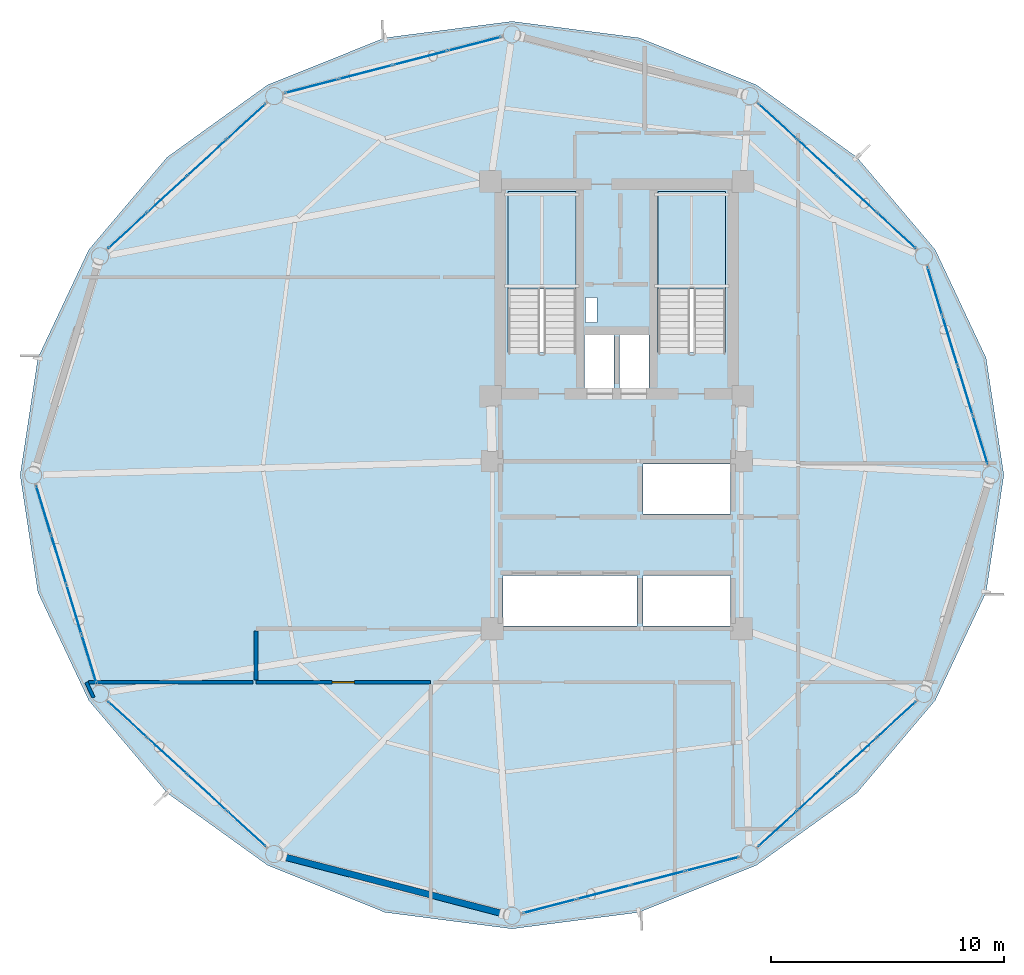
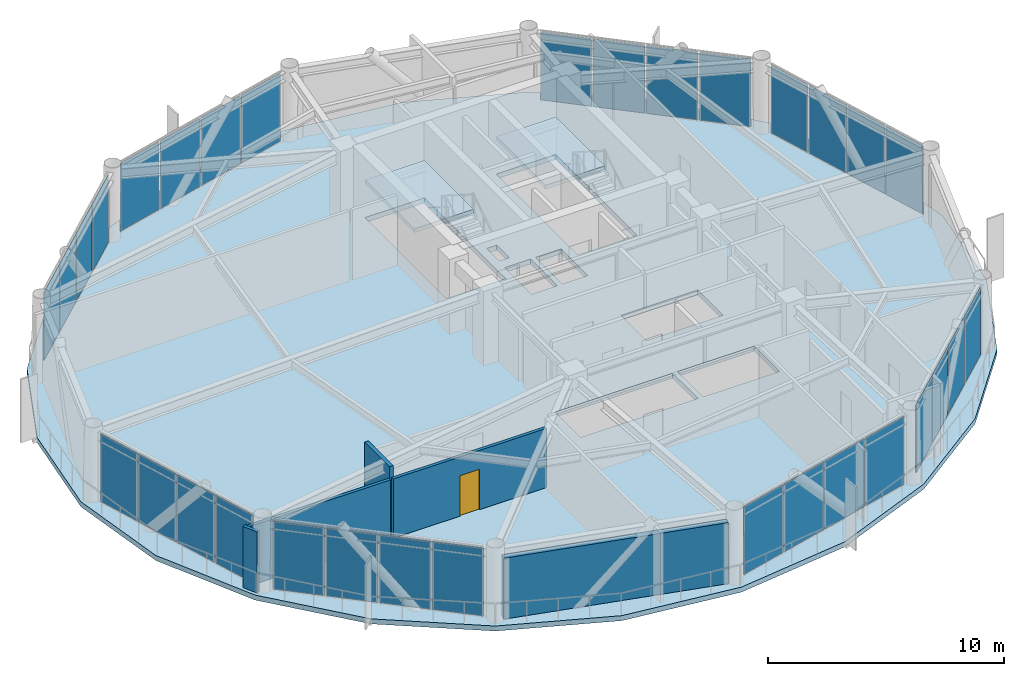
# One storey, part 19 of 24: 32 plates, 5 walls, 3 slabs, 1 door, 1 opening, 10 elements without a shape of their own.
"""IFC4 building model written with IfcOpenShell, lengths in metres."""

from ifc_helpers import new_model, si_unit, direction, frame, frame_2d, origin, origin_2d, place, context, subcontext, project, spatial, polyline, rectangle, outline, extrude, source, transform, mapped, material, layer, layer_set, type_object, type_shapes, element, fill, aggregate, save


model = new_model("IFC4")

# Units and contexts
model_context = context("Model", 3, precision=1e-05, world=origin(), true_north=direction((0.0, 1.0)))
body_context = subcontext(model_context, "Body", "Model", "MODEL_VIEW")
ifc_project = project(units=[si_unit("LENGTHUNIT", "METRE"), si_unit("AREAUNIT", "SQUARE_METRE"), si_unit("VOLUMEUNIT", "CUBIC_METRE"), si_unit("PLANEANGLEUNIT", "RADIAN"), si_unit("MASSUNIT", "GRAM", prefix="KILO")], contexts=[model_context])

# Site, building, storey
site_placement = place(None, origin())
site = spatial("IfcSite", under=ifc_project, at=site_placement, CompositionType="ELEMENT")
building_placement = place(site_placement, origin())
building = spatial("IfcBuilding", under=site, at=building_placement, Name="Varnakorn Sky Granary", CompositionType="ELEMENT")
storey_placement = place(building_placement, frame((0.0, 0.0, 161.699951171875)))
storey = spatial("IfcBuildingStorey", under=building, at=storey_placement, Name="L40", CompositionType="ELEMENT", Elevation=161.699951171875)

# Stair, slab
ifc_material_1 = material(Name="Concrete C40/50", Category="concrete")
stair_type = type_object("IfcStairType", Name="ST-MAIN-ASSEMBLY", PredefinedType="HALF_TURN_STAIR", material=ifc_material_1)
stair_1_placement = place(storey_placement, origin())
stair_1 = element("IfcStair", 1, at=stair_1_placement, inside=storey, type_object=stair_type, Name="L40 Protected Exit Stair ST-1", PredefinedType="HALF_TURN_STAIR")
ifc_layer_1 = layer(ifc_material_1, 0.199951171875, Name="Concrete C40/50")
ifc_layer_set_1 = layer_set([ifc_layer_1], Name="Concrete C40/50")
slab_type_1 = type_object("IfcSlabType", Name="ST-MAIN-LAND", PredefinedType="LANDING", material=ifc_layer_set_1)
slab_1_placement = place(storey_placement, frame((0.0, 0.0, 1.75)))
slab_1 = element("IfcSlab", 2, at=slab_1_placement, type_object=slab_type_1, Name="ST-1 landing 1", PredefinedType="LANDING", context=body_context, shape_type="SweptSolid", body=[
    extrude(outline(polyline([(1.239990234375, 8.0), (1.239990234375, 12.179931640625), (-1.669921875, 12.179931640625), (-1.669921875, 8.0), (1.239990234375, 8.0)])), origin(), (0.0, 0.0, 1.0), 0.199951171875),
])
aggregate(stair_1, [slab_1])

stair_2_placement = place(storey_placement, origin())
stair_2 = element("IfcStair", 3, at=stair_2_placement, inside=storey, type_object=stair_type, Name="L40 Protected Exit Stair ST-2", PredefinedType="HALF_TURN_STAIR")
slab_2_placement = place(storey_placement, frame((0.0, 0.0, 1.75)))
slab_2 = element("IfcSlab", 4, at=slab_2_placement, type_object=slab_type_1, Name="ST-2 landing 1", PredefinedType="LANDING", context=body_context, shape_type="SweptSolid", body=[
    extrude(outline(polyline([(7.679931640625, 8.0), (7.679931640625, 12.179931640625), (4.77001953125, 12.179931640625), (4.77001953125, 8.0), (7.679931640625, 8.0)])), origin(), (0.0, 0.0, 1.0), 0.199951171875),
])
aggregate(stair_2, [slab_2])

# Slab
ifc_material_2 = material(Name="Concrete C50/60", Category="concrete")
ifc_layer_2 = layer(ifc_material_2, 0.260009765625, Name="Concrete C50/60")
ifc_layer_set_2 = layer_set([ifc_layer_2], Name="Concrete C50/60")
slab_type_2 = type_object("IfcSlabType", Name="ST-SL-TWR-260", PredefinedType="FLOOR", material=ifc_layer_set_2)
slab_3_placement = place(storey_placement, frame((0.0, 0.0, -0.260009765625)))
element("IfcSlab", 5, at=slab_3_placement, inside=storey, type_object=slab_type_2, Name="Level L40 Structural Floor Slab", PredefinedType="FLOOR", context=body_context, shape_type="SweptSolid", body=[
    extrude(outline(polyline([(19.633056640625, 0.0), (18.869384765625, 5.033935546875), (16.684814453125, 9.679931640625), (13.31591796875, 13.65771484375), (8.9990234375, 16.766357421875), (3.9580078125, 18.787353515625), (-1.5, 19.4951171875), (-6.9580078125, 18.787353515625), (-11.9990234375, 16.766357421875), (-16.31591796875, 13.65771484375), (-19.684814453125, 9.679931640625), (-21.869384765625, 5.033935546875), (-22.633056640625, 0.0), (-21.869384765625, -5.033935546875), (-19.684814453125, -9.679931640625), (-16.31591796875, -13.65771484375), (-11.9990234375, -16.766357421875), (-6.9580078125, -18.787353515625), (-1.5, -19.4951171875), (3.9580078125, -18.787353515625), (8.9990234375, -16.766357421875), (13.31591796875, -13.65771484375), (16.684814453125, -9.679931640625), (18.869384765625, -5.033935546875), (19.633056640625, 0.0)]), holes=[polyline([(1.239990234375, 5.27490234375), (1.239990234375, 12.179931640625), (-1.669921875, 12.179931640625), (-1.669921875, 5.27490234375), (1.239990234375, 5.27490234375)]), polyline([(7.679931640625, 5.27490234375), (7.679931640625, 12.179931640625), (4.77001953125, 12.179931640625), (4.77001953125, 5.27490234375), (7.679931640625, 5.27490234375)]), polyline([(1.659912109375, 6.550048828125), (2.14990234375, 6.550048828125), (2.14990234375, 7.6201171875), (1.659912109375, 7.6201171875), (1.659912109375, 6.550048828125)]), polyline([(1.6201171875, 3.739990234375), (2.8798828125, 3.739990234375), (2.8798828125, 6.010009765625), (1.6201171875, 6.010009765625), (1.6201171875, 3.739990234375)]), polyline([(3.1201171875, 3.739990234375), (4.3798828125, 3.739990234375), (4.3798828125, 6.010009765625), (3.1201171875, 6.010009765625), (3.1201171875, 3.739990234375)]), polyline([(4.1201171875, -1.679931640625), (7.8798828125, -1.679931640625), (7.8798828125, 0.47998046875), (4.1201171875, 0.47998046875), (4.1201171875, -1.679931640625)]), polyline([(-1.8798828125, -6.47998046875), (3.8798828125, -6.47998046875), (3.8798828125, -4.320068359375), (-1.8798828125, -4.320068359375), (-1.8798828125, -6.47998046875)]), polyline([(4.1201171875, -6.47998046875), (7.8798828125, -6.47998046875), (7.8798828125, -4.320068359375), (4.1201171875, -4.320068359375), (4.1201171875, -6.47998046875)])]), origin(), (0.0, 0.0, 1.0), 0.260009765625),
])

# Curtain wall, plates
ifc_material_3 = material(Name="Anodised Bronze Aluminium Alloy 6063-T6", Category="aluminium")
ifc_layer_3 = layer(ifc_material_3, 0.179931640625, Name="Anodised Bronze Aluminium Alloy 6063-T6")
ifc_layer_set_3 = layer_set([ifc_layer_3], Name="Anodised Bronze Aluminium Alloy 6063-T6")
curtain_wall_type = type_object("IfcCurtainWallType", Name="CW-FRM-2", PredefinedType="USERDEFINED", material=ifc_layer_set_3)
curtain_wall_1_placement = place(storey_placement, origin())
curtain_wall_1 = element("IfcCurtainWall", 6, at=curtain_wall_1_placement, inside=storey, type_object=curtain_wall_type, Name="Unitised Curtain Wall CW4 CW-L40-B01", ObjectType="CURTAIN WALL", PredefinedType="USERDEFINED")
ifc_material_4 = material(Name="Low-E Tinted Laminated Glass", Category="glass")
ifc_layer_4 = layer(ifc_material_4, 0.02587890625, Name="Low-E Tinted Laminated Glass")
ifc_layer_set_4 = layer_set([ifc_layer_4], Name="Low-E Tinted Laminated Glass")
plate_type = type_object("IfcPlateType", Name="CW-FRM-2-PNL", PredefinedType="CURTAIN_PANEL")
shared_shape_1 = source(origin(), body_context, "Body", "SweptSolid", [
    extrude(rectangle(XDim=2.133056640625, YDim=0.02587890625, at=origin_2d()), origin(), (0.0, 0.0, 1.0), 3.510009765625),
])
plate_1_placement = place(storey_placement, frame((16.669677734375, 7.896484375, 0.06494140625), z_axis=(0.0, 0.0, 1.0), x_axis=(0.292285507608, -0.956331104818, 0.0)))
plate_1 = element("IfcPlate", 7, at=plate_1_placement, type_object=plate_type, material=ifc_layer_set_4, Name="CW4 vision glazing unit 1.1", PredefinedType="CURTAIN_PANEL", context=body_context, shape_type="MappedRepresentation", body=[
    mapped(shared_shape_1, transform((0.0, 0.0, 0.0), x_axis=(1.0, 0.0, 0.0), y_axis=(0.0, 1.0, 0.0), z_axis=(0.0, 0.0, 1.0), scale=1.0)),
])
plate_2_placement = place(storey_placement, frame((18.621826171875, 1.508544921875, 0.06494140625), z_axis=(0.0, 0.0, 1.0), x_axis=(0.292285507608, -0.956331104818, 0.0)))
plate_2 = element("IfcPlate", 8, at=plate_2_placement, type_object=plate_type, material=ifc_layer_set_4, Name="CW4 vision glazing unit 4.1", PredefinedType="CURTAIN_PANEL", context=body_context, shape_type="MappedRepresentation", body=[
    mapped(shared_shape_1, transform((0.0, 0.0, 0.0), x_axis=(1.0, 0.0, 0.0), y_axis=(0.0, 1.0, 0.0), z_axis=(0.0, 0.0, 1.0), scale=1.0)),
])

curtain_wall_2_placement = place(storey_placement, origin())
curtain_wall_2 = element("IfcCurtainWall", 9, at=curtain_wall_2_placement, inside=storey, type_object=curtain_wall_type, Name="Unitised Curtain Wall CW4 CW-L40-B07", ObjectType="CURTAIN WALL", PredefinedType="USERDEFINED")
plate_3_placement = place(storey_placement, frame((-19.669677734375, -7.896484375, 0.06494140625), z_axis=(0.0, 0.0, 1.0), x_axis=(-0.292285507608, 0.956331104818, 0.0)))
plate_3 = element("IfcPlate", 10, at=plate_3_placement, type_object=plate_type, material=ifc_layer_set_4, Name="CW4 vision glazing unit 1.1", PredefinedType="CURTAIN_PANEL", context=body_context, shape_type="MappedRepresentation", body=[
    mapped(shared_shape_1, transform((0.0, 0.0, 0.0), x_axis=(1.0, 0.0, 0.0), y_axis=(0.0, 1.0, 0.0), z_axis=(0.0, 0.0, 1.0), scale=1.0)),
])
plate_4_placement = place(storey_placement, frame((-21.621826171875, -1.508544921875, 0.06494140625), z_axis=(0.0, 0.0, 1.0), x_axis=(-0.292285507608, 0.956331104818, 0.0)))
plate_4 = element("IfcPlate", 11, at=plate_4_placement, type_object=plate_type, material=ifc_layer_set_4, Name="CW4 vision glazing unit 4.1", PredefinedType="CURTAIN_PANEL", context=body_context, shape_type="MappedRepresentation", body=[
    mapped(shared_shape_1, transform((0.0, 0.0, 0.0), x_axis=(1.0, 0.0, 0.0), y_axis=(0.0, 1.0, 0.0), z_axis=(0.0, 0.0, 1.0), scale=1.0)),
])

# Plate
ifc_material_5 = material(Name="Opaque Insulated Aluminium Shadow-Box Unit", Category="aluminium")
ifc_layer_5 = layer(ifc_material_5, 0.02587890625, Name="Opaque Insulated Aluminium Shadow-Box Unit")
ifc_layer_set_5 = layer_set([ifc_layer_5], Name="Opaque Insulated Aluminium Shadow-Box Unit")
shared_shape_2 = source(origin(), body_context, "Body", "SweptSolid", [
    extrude(rectangle(XDim=2.168212890625, YDim=0.02587890625, at=origin_2d()), origin(), (0.0, 0.0, 1.0), 3.510009765625),
])
plate_5_placement = place(storey_placement, frame((17.318603515625, 5.772705078125, 0.06494140625), z_axis=(0.0, 0.0, 1.0), x_axis=(0.292285507608, -0.956331104818, 0.0)))
plate_5 = element("IfcPlate", 12, at=plate_5_placement, type_object=plate_type, material=ifc_layer_set_5, Name="CW4 opaque insulated shadow-box unit 2.1", PredefinedType="CURTAIN_PANEL", context=body_context, shape_type="MappedRepresentation", body=[
    mapped(shared_shape_2, transform((0.0, 0.0, 0.0), x_axis=(1.0, 0.0, 0.0), y_axis=(0.0, 1.0, 0.0), z_axis=(0.0, 0.0, 1.0), scale=1.0)),
])

plate_6_placement = place(storey_placement, frame((17.972900390625, 3.63232421875, 0.06494140625), z_axis=(0.0, 0.0, 1.0), x_axis=(0.292285507608, -0.956331104818, 0.0)))
plate_6 = element("IfcPlate", 13, at=plate_6_placement, type_object=plate_type, material=ifc_layer_set_5, Name="CW4 opaque insulated shadow-box unit 3.1", PredefinedType="CURTAIN_PANEL", context=body_context, shape_type="MappedRepresentation", body=[
    mapped(shared_shape_2, transform((0.0, 0.0, 0.0), x_axis=(1.0, 0.0, 0.0), y_axis=(0.0, 1.0, 0.0), z_axis=(0.0, 0.0, 1.0), scale=1.0)),
])

aggregate(curtain_wall_1, [plate_1, plate_5, plate_6, plate_2])

plate_7_placement = place(storey_placement, frame((-20.318603515625, -5.772705078125, 0.06494140625), z_axis=(0.0, 0.0, 1.0), x_axis=(-0.292285507608, 0.956331104818, 0.0)))
plate_7 = element("IfcPlate", 14, at=plate_7_placement, type_object=plate_type, material=ifc_layer_set_5, Name="CW4 opaque insulated shadow-box unit 2.1", PredefinedType="CURTAIN_PANEL", context=body_context, shape_type="MappedRepresentation", body=[
    mapped(shared_shape_2, transform((0.0, 0.0, 0.0), x_axis=(1.0, 0.0, 0.0), y_axis=(0.0, 1.0, 0.0), z_axis=(0.0, 0.0, 1.0), scale=1.0)),
])

plate_8_placement = place(storey_placement, frame((-20.972900390625, -3.63232421875, 0.06494140625), z_axis=(0.0, 0.0, 1.0), x_axis=(-0.292285507608, 0.956331104818, 0.0)))
plate_8 = element("IfcPlate", 15, at=plate_8_placement, type_object=plate_type, material=ifc_layer_set_5, Name="CW4 opaque insulated shadow-box unit 3.1", PredefinedType="CURTAIN_PANEL", context=body_context, shape_type="MappedRepresentation", body=[
    mapped(shared_shape_2, transform((0.0, 0.0, 0.0), x_axis=(1.0, 0.0, 0.0), y_axis=(0.0, 1.0, 0.0), z_axis=(0.0, 0.0, 1.0), scale=1.0)),
])

aggregate(curtain_wall_2, [plate_3, plate_7, plate_8, plate_4])

# Curtain wall, plates
curtain_wall_3_placement = place(storey_placement, origin())
curtain_wall_3 = element("IfcCurtainWall", 16, at=curtain_wall_3_placement, inside=storey, type_object=curtain_wall_type, Name="Unitised Curtain Wall CW4 CW-L40-B02", ObjectType="CURTAIN WALL", PredefinedType="USERDEFINED")
shared_shape_3 = source(origin(), body_context, "Body", "SweptSolid", [
    extrude(rectangle(XDim=2.216796875, YDim=0.02587890625, at=origin_2d()), origin(), (0.0, 0.0, 1.0), 3.510009765625),
])
plate_9_placement = place(storey_placement, frame((9.915771484375, 15.193603515625, 0.06494140625), z_axis=(0.0, 0.0, 1.0), x_axis=(0.735972642425, -0.677011277308, 0.0)))
plate_9 = element("IfcPlate", 17, at=plate_9_placement, type_object=plate_type, material=ifc_layer_set_4, Name="CW4 vision glazing unit 1.1", PredefinedType="CURTAIN_PANEL", context=body_context, shape_type="MappedRepresentation", body=[
    mapped(shared_shape_3, transform((0.0, 0.0, 0.0), x_axis=(1.0, 0.0, 0.0), y_axis=(0.0, 1.0, 0.0), z_axis=(0.0, 0.0, 1.0), scale=1.0)),
])
plate_10_placement = place(storey_placement, frame((15.0166015625, 10.50146484375, 0.06494140625), z_axis=(0.0, 0.0, 1.0), x_axis=(0.735972642425, -0.677011277308, 0.0)))
plate_10 = element("IfcPlate", 18, at=plate_10_placement, type_object=plate_type, material=ifc_layer_set_4, Name="CW4 vision glazing unit 4.1", PredefinedType="CURTAIN_PANEL", context=body_context, shape_type="MappedRepresentation", body=[
    mapped(shared_shape_3, transform((0.0, 0.0, 0.0), x_axis=(1.0, 0.0, 0.0), y_axis=(0.0, 1.0, 0.0), z_axis=(0.0, 0.0, 1.0), scale=1.0)),
])

curtain_wall_4_placement = place(storey_placement, origin())
curtain_wall_4 = element("IfcCurtainWall", 19, at=curtain_wall_4_placement, inside=storey, type_object=curtain_wall_type, Name="Unitised Curtain Wall CW4 CW-L40-B05", ObjectType="CURTAIN WALL", PredefinedType="USERDEFINED")
plate_11_placement = place(storey_placement, frame((-18.0166015625, 10.50146484375, 0.06494140625), z_axis=(0.0, 0.0, 1.0), x_axis=(0.735972642425, 0.677011277308, 0.0)))
plate_11 = element("IfcPlate", 20, at=plate_11_placement, type_object=plate_type, material=ifc_layer_set_4, Name="CW4 vision glazing unit 1.1", PredefinedType="CURTAIN_PANEL", context=body_context, shape_type="MappedRepresentation", body=[
    mapped(shared_shape_3, transform((0.0, 0.0, 0.0), x_axis=(1.0, 0.0, 0.0), y_axis=(0.0, 1.0, 0.0), z_axis=(0.0, 0.0, 1.0), scale=1.0)),
])
plate_12_placement = place(storey_placement, frame((-12.915771484375, 15.193603515625, 0.06494140625), z_axis=(0.0, 0.0, 1.0), x_axis=(0.735972642425, 0.677011277308, 0.0)))
plate_12 = element("IfcPlate", 21, at=plate_12_placement, type_object=plate_type, material=ifc_layer_set_4, Name="CW4 vision glazing unit 4.1", PredefinedType="CURTAIN_PANEL", context=body_context, shape_type="MappedRepresentation", body=[
    mapped(shared_shape_3, transform((0.0, 0.0, 0.0), x_axis=(1.0, 0.0, 0.0), y_axis=(0.0, 1.0, 0.0), z_axis=(0.0, 0.0, 1.0), scale=1.0)),
])

curtain_wall_5_placement = place(storey_placement, origin())
curtain_wall_5 = element("IfcCurtainWall", 22, at=curtain_wall_5_placement, inside=storey, type_object=curtain_wall_type, Name="Unitised Curtain Wall CW4 CW-L40-B08", ObjectType="CURTAIN WALL", PredefinedType="USERDEFINED")
plate_13_placement = place(storey_placement, frame((-12.915771484375, -15.193603515625, 0.06494140625), z_axis=(0.0, 0.0, 1.0), x_axis=(-0.735972642425, 0.677011277308, 0.0)))
plate_13 = element("IfcPlate", 23, at=plate_13_placement, type_object=plate_type, material=ifc_layer_set_4, Name="CW4 vision glazing unit 1.1", PredefinedType="CURTAIN_PANEL", context=body_context, shape_type="MappedRepresentation", body=[
    mapped(shared_shape_3, transform((0.0, 0.0, 0.0), x_axis=(1.0, 0.0, 0.0), y_axis=(0.0, 1.0, 0.0), z_axis=(0.0, 0.0, 1.0), scale=1.0)),
])
plate_14_placement = place(storey_placement, frame((-18.0166015625, -10.50146484375, 0.06494140625), z_axis=(0.0, 0.0, 1.0), x_axis=(-0.735972642425, 0.677011277308, 0.0)))
plate_14 = element("IfcPlate", 24, at=plate_14_placement, type_object=plate_type, material=ifc_layer_set_4, Name="CW4 vision glazing unit 4.1", PredefinedType="CURTAIN_PANEL", context=body_context, shape_type="MappedRepresentation", body=[
    mapped(shared_shape_3, transform((0.0, 0.0, 0.0), x_axis=(1.0, 0.0, 0.0), y_axis=(0.0, 1.0, 0.0), z_axis=(0.0, 0.0, 1.0), scale=1.0)),
])

curtain_wall_6_placement = place(storey_placement, origin())
curtain_wall_6 = element("IfcCurtainWall", 25, at=curtain_wall_6_placement, inside=storey, type_object=curtain_wall_type, Name="Unitised Curtain Wall CW4 CW-L40-B11", ObjectType="CURTAIN WALL", PredefinedType="USERDEFINED")
plate_15_placement = place(storey_placement, frame((15.0166015625, -10.50146484375, 0.06494140625), z_axis=(0.0, 0.0, 1.0), x_axis=(-0.735972642425, -0.677011277308, 0.0)))
plate_15 = element("IfcPlate", 26, at=plate_15_placement, type_object=plate_type, material=ifc_layer_set_4, Name="CW4 vision glazing unit 1.1", PredefinedType="CURTAIN_PANEL", context=body_context, shape_type="MappedRepresentation", body=[
    mapped(shared_shape_3, transform((0.0, 0.0, 0.0), x_axis=(1.0, 0.0, 0.0), y_axis=(0.0, 1.0, 0.0), z_axis=(0.0, 0.0, 1.0), scale=1.0)),
])
plate_16_placement = place(storey_placement, frame((9.915771484375, -15.193603515625, 0.06494140625), z_axis=(0.0, 0.0, 1.0), x_axis=(-0.735972642425, -0.677011277308, 0.0)))
plate_16 = element("IfcPlate", 27, at=plate_16_placement, type_object=plate_type, material=ifc_layer_set_4, Name="CW4 vision glazing unit 4.1", PredefinedType="CURTAIN_PANEL", context=body_context, shape_type="MappedRepresentation", body=[
    mapped(shared_shape_3, transform((0.0, 0.0, 0.0), x_axis=(1.0, 0.0, 0.0), y_axis=(0.0, 1.0, 0.0), z_axis=(0.0, 0.0, 1.0), scale=1.0)),
])

# Plate
shared_shape_4 = source(origin(), body_context, "Body", "SweptSolid", [
    extrude(rectangle(XDim=2.251953125, YDim=0.02587890625, at=origin_2d()), origin(), (0.0, 0.0, 1.0), 3.510009765625),
])
plate_17_placement = place(storey_placement, frame((11.61181640625, 13.63330078125, 0.06494140625), z_axis=(0.0, 0.0, 1.0), x_axis=(0.735972642425, -0.677011277308, 0.0)))
plate_17 = element("IfcPlate", 28, at=plate_17_placement, type_object=plate_type, material=ifc_layer_set_5, Name="CW4 opaque insulated shadow-box unit 2.1", PredefinedType="CURTAIN_PANEL", context=body_context, shape_type="MappedRepresentation", body=[
    mapped(shared_shape_4, transform((0.0, 0.0, 0.0), x_axis=(1.0, 0.0, 0.0), y_axis=(0.0, 1.0, 0.0), z_axis=(0.0, 0.0, 1.0), scale=1.0)),
])

plate_18_placement = place(storey_placement, frame((13.320556640625, 12.0615234375, 0.06494140625), z_axis=(0.0, 0.0, 1.0), x_axis=(0.735972642425, -0.677011277308, 0.0)))
plate_18 = element("IfcPlate", 29, at=plate_18_placement, type_object=plate_type, material=ifc_layer_set_5, Name="CW4 opaque insulated shadow-box unit 3.1", PredefinedType="CURTAIN_PANEL", context=body_context, shape_type="MappedRepresentation", body=[
    mapped(shared_shape_4, transform((0.0, 0.0, 0.0), x_axis=(1.0, 0.0, 0.0), y_axis=(0.0, 1.0, 0.0), z_axis=(0.0, 0.0, 1.0), scale=1.0)),
])

aggregate(curtain_wall_3, [plate_9, plate_17, plate_18, plate_10])

plate_19_placement = place(storey_placement, frame((-16.320556640625, 12.0615234375, 0.06494140625), z_axis=(0.0, 0.0, 1.0), x_axis=(0.735972642425, 0.677011277308, 0.0)))
plate_19 = element("IfcPlate", 30, at=plate_19_placement, type_object=plate_type, material=ifc_layer_set_5, Name="CW4 opaque insulated shadow-box unit 2.1", PredefinedType="CURTAIN_PANEL", context=body_context, shape_type="MappedRepresentation", body=[
    mapped(shared_shape_4, transform((0.0, 0.0, 0.0), x_axis=(1.0, 0.0, 0.0), y_axis=(0.0, 1.0, 0.0), z_axis=(0.0, 0.0, 1.0), scale=1.0)),
])

plate_20_placement = place(storey_placement, frame((-14.61181640625, 13.63330078125, 0.06494140625), z_axis=(0.0, 0.0, 1.0), x_axis=(0.735972642425, 0.677011277308, 0.0)))
plate_20 = element("IfcPlate", 31, at=plate_20_placement, type_object=plate_type, material=ifc_layer_set_5, Name="CW4 opaque insulated shadow-box unit 3.1", PredefinedType="CURTAIN_PANEL", context=body_context, shape_type="MappedRepresentation", body=[
    mapped(shared_shape_4, transform((0.0, 0.0, 0.0), x_axis=(1.0, 0.0, 0.0), y_axis=(0.0, 1.0, 0.0), z_axis=(0.0, 0.0, 1.0), scale=1.0)),
])

aggregate(curtain_wall_4, [plate_11, plate_19, plate_20, plate_12])

plate_21_placement = place(storey_placement, frame((-14.61181640625, -13.63330078125, 0.06494140625), z_axis=(0.0, 0.0, 1.0), x_axis=(-0.735972642425, 0.677011277308, 0.0)))
plate_21 = element("IfcPlate", 32, at=plate_21_placement, type_object=plate_type, material=ifc_layer_set_5, Name="CW4 opaque insulated shadow-box unit 2.1", PredefinedType="CURTAIN_PANEL", context=body_context, shape_type="MappedRepresentation", body=[
    mapped(shared_shape_4, transform((0.0, 0.0, 0.0), x_axis=(1.0, 0.0, 0.0), y_axis=(0.0, 1.0, 0.0), z_axis=(0.0, 0.0, 1.0), scale=1.0)),
])

plate_22_placement = place(storey_placement, frame((-16.320556640625, -12.0615234375, 0.06494140625), z_axis=(0.0, 0.0, 1.0), x_axis=(-0.735972642425, 0.677011277308, 0.0)))
plate_22 = element("IfcPlate", 33, at=plate_22_placement, type_object=plate_type, material=ifc_layer_set_5, Name="CW4 opaque insulated shadow-box unit 3.1", PredefinedType="CURTAIN_PANEL", context=body_context, shape_type="MappedRepresentation", body=[
    mapped(shared_shape_4, transform((0.0, 0.0, 0.0), x_axis=(1.0, 0.0, 0.0), y_axis=(0.0, 1.0, 0.0), z_axis=(0.0, 0.0, 1.0), scale=1.0)),
])

aggregate(curtain_wall_5, [plate_13, plate_21, plate_22, plate_14])

plate_23_placement = place(storey_placement, frame((13.320556640625, -12.0615234375, 0.06494140625), z_axis=(0.0, 0.0, 1.0), x_axis=(-0.735972642425, -0.677011277308, 0.0)))
plate_23 = element("IfcPlate", 34, at=plate_23_placement, type_object=plate_type, material=ifc_layer_set_5, Name="CW4 opaque insulated shadow-box unit 2.1", PredefinedType="CURTAIN_PANEL", context=body_context, shape_type="MappedRepresentation", body=[
    mapped(shared_shape_4, transform((0.0, 0.0, 0.0), x_axis=(1.0, 0.0, 0.0), y_axis=(0.0, 1.0, 0.0), z_axis=(0.0, 0.0, 1.0), scale=1.0)),
])

plate_24_placement = place(storey_placement, frame((11.61181640625, -13.63330078125, 0.06494140625), z_axis=(0.0, 0.0, 1.0), x_axis=(-0.735972642425, -0.677011277308, 0.0)))
plate_24 = element("IfcPlate", 35, at=plate_24_placement, type_object=plate_type, material=ifc_layer_set_5, Name="CW4 opaque insulated shadow-box unit 3.1", PredefinedType="CURTAIN_PANEL", context=body_context, shape_type="MappedRepresentation", body=[
    mapped(shared_shape_4, transform((0.0, 0.0, 0.0), x_axis=(1.0, 0.0, 0.0), y_axis=(0.0, 1.0, 0.0), z_axis=(0.0, 0.0, 1.0), scale=1.0)),
])

aggregate(curtain_wall_6, [plate_15, plate_23, plate_24, plate_16])

# Curtain wall, plates
curtain_wall_7_placement = place(storey_placement, origin())
curtain_wall_7 = element("IfcCurtainWall", 36, at=curtain_wall_7_placement, inside=storey, type_object=curtain_wall_type, Name="Unitised Curtain Wall CW4 CW-L40-B04", ObjectType="CURTAIN WALL", PredefinedType="USERDEFINED")
shared_shape_5 = source(origin(), body_context, "Body", "SweptSolid", [
    extrude(rectangle(XDim=2.3154296875, YDim=0.02587890625, at=origin_2d()), origin(), (0.0, 0.0, 1.0), 3.510009765625),
])
plate_25_placement = place(storey_placement, frame((-10.10888671875, 16.709228515625, 0.06494140625), z_axis=(0.0, 0.0, 1.0), x_axis=(0.967893004956, 0.251362548835, 0.0)))
plate_25 = element("IfcPlate", 37, at=plate_25_placement, type_object=plate_type, material=ifc_layer_set_4, Name="CW4 vision glazing unit 1.1", PredefinedType="CURTAIN_PANEL", context=body_context, shape_type="MappedRepresentation", body=[
    mapped(shared_shape_5, transform((0.0, 0.0, 0.0), x_axis=(1.0, 0.0, 0.0), y_axis=(0.0, 1.0, 0.0), z_axis=(0.0, 0.0, 1.0), scale=1.0)),
])
plate_26_placement = place(storey_placement, frame((-3.114990234375, 18.525634765625, 0.06494140625), z_axis=(0.0, 0.0, 1.0), x_axis=(0.967893004956, 0.251362548835, 0.0)))
plate_26 = element("IfcPlate", 38, at=plate_26_placement, type_object=plate_type, material=ifc_layer_set_4, Name="CW4 vision glazing unit 4.1", PredefinedType="CURTAIN_PANEL", context=body_context, shape_type="MappedRepresentation", body=[
    mapped(shared_shape_5, transform((0.0, 0.0, 0.0), x_axis=(1.0, 0.0, 0.0), y_axis=(0.0, 1.0, 0.0), z_axis=(0.0, 0.0, 1.0), scale=1.0)),
])

curtain_wall_8_placement = place(storey_placement, origin())
curtain_wall_8 = element("IfcCurtainWall", 39, at=curtain_wall_8_placement, inside=storey, type_object=curtain_wall_type, Name="Unitised Curtain Wall CW4 CW-L40-B10", ObjectType="CURTAIN WALL", PredefinedType="USERDEFINED")
plate_27_placement = place(storey_placement, frame((7.10888671875, -16.709228515625, 0.06494140625), z_axis=(0.0, 0.0, 1.0), x_axis=(-0.967893004956, -0.251362548835, 0.0)))
plate_27 = element("IfcPlate", 40, at=plate_27_placement, type_object=plate_type, material=ifc_layer_set_4, Name="CW4 vision glazing unit 1.1", PredefinedType="CURTAIN_PANEL", context=body_context, shape_type="MappedRepresentation", body=[
    mapped(shared_shape_5, transform((0.0, 0.0, 0.0), x_axis=(1.0, 0.0, 0.0), y_axis=(0.0, 1.0, 0.0), z_axis=(0.0, 0.0, 1.0), scale=1.0)),
])
plate_28_placement = place(storey_placement, frame((0.114990234375, -18.525634765625, 0.06494140625), z_axis=(0.0, 0.0, 1.0), x_axis=(-0.967893004956, -0.251362548835, 0.0)))
plate_28 = element("IfcPlate", 41, at=plate_28_placement, type_object=plate_type, material=ifc_layer_set_4, Name="CW4 vision glazing unit 4.1", PredefinedType="CURTAIN_PANEL", context=body_context, shape_type="MappedRepresentation", body=[
    mapped(shared_shape_5, transform((0.0, 0.0, 0.0), x_axis=(1.0, 0.0, 0.0), y_axis=(0.0, 1.0, 0.0), z_axis=(0.0, 0.0, 1.0), scale=1.0)),
])

# Plate
shared_shape_6 = source(origin(), body_context, "Body", "SweptSolid", [
    extrude(rectangle(XDim=2.350341796875, YDim=0.02587890625, at=origin_2d()), origin(), (0.0, 0.0, 1.0), 3.510009765625),
])
type_shapes(plate_type, [shared_shape_1, shared_shape_2, shared_shape_3, shared_shape_4, shared_shape_5, shared_shape_6])
plate_29_placement = place(storey_placement, frame((-7.783203125, 17.313232421875, 0.06494140625), z_axis=(0.0, 0.0, 1.0), x_axis=(0.967893004956, 0.251362548835, 0.0)))
plate_29 = element("IfcPlate", 42, at=plate_29_placement, type_object=plate_type, material=ifc_layer_set_5, Name="CW4 opaque insulated shadow-box unit 2.1", PredefinedType="CURTAIN_PANEL", context=body_context, shape_type="MappedRepresentation", body=[
    mapped(shared_shape_6, transform((0.0, 0.0, 0.0), x_axis=(1.0, 0.0, 0.0), y_axis=(0.0, 1.0, 0.0), z_axis=(0.0, 0.0, 1.0), scale=1.0)),
])

plate_30_placement = place(storey_placement, frame((-5.440673828125, 17.921630859375, 0.06494140625), z_axis=(0.0, 0.0, 1.0), x_axis=(0.967893004956, 0.251362548835, 0.0)))
plate_30 = element("IfcPlate", 43, at=plate_30_placement, type_object=plate_type, material=ifc_layer_set_5, Name="CW4 opaque insulated shadow-box unit 3.1", PredefinedType="CURTAIN_PANEL", context=body_context, shape_type="MappedRepresentation", body=[
    mapped(shared_shape_6, transform((0.0, 0.0, 0.0), x_axis=(1.0, 0.0, 0.0), y_axis=(0.0, 1.0, 0.0), z_axis=(0.0, 0.0, 1.0), scale=1.0)),
])

aggregate(curtain_wall_7, [plate_25, plate_29, plate_30, plate_26])

plate_31_placement = place(storey_placement, frame((4.783203125, -17.313232421875, 0.06494140625), z_axis=(0.0, 0.0, 1.0), x_axis=(-0.967893004956, -0.251362548835, 0.0)))
plate_31 = element("IfcPlate", 44, at=plate_31_placement, type_object=plate_type, material=ifc_layer_set_5, Name="CW4 opaque insulated shadow-box unit 2.1", PredefinedType="CURTAIN_PANEL", context=body_context, shape_type="MappedRepresentation", body=[
    mapped(shared_shape_6, transform((0.0, 0.0, 0.0), x_axis=(1.0, 0.0, 0.0), y_axis=(0.0, 1.0, 0.0), z_axis=(0.0, 0.0, 1.0), scale=1.0)),
])

plate_32_placement = place(storey_placement, frame((2.440673828125, -17.921630859375, 0.06494140625), z_axis=(0.0, 0.0, 1.0), x_axis=(-0.967893004956, -0.251362548835, 0.0)))
plate_32 = element("IfcPlate", 45, at=plate_32_placement, type_object=plate_type, material=ifc_layer_set_5, Name="CW4 opaque insulated shadow-box unit 3.1", PredefinedType="CURTAIN_PANEL", context=body_context, shape_type="MappedRepresentation", body=[
    mapped(shared_shape_6, transform((0.0, 0.0, 0.0), x_axis=(1.0, 0.0, 0.0), y_axis=(0.0, 1.0, 0.0), z_axis=(0.0, 0.0, 1.0), scale=1.0)),
])

aggregate(curtain_wall_8, [plate_27, plate_31, plate_32, plate_28])

# Wall
ifc_material_6 = material(Name="Precast concrete C40/50", Category="concrete")
ifc_layer_6 = layer(ifc_material_6, 0.280029296875, Name="Precast concrete C40/50")
ifc_layer_set_6 = layer_set([ifc_layer_6], Name="Precast concrete C40/50")
wall_type_1 = type_object("IfcWallType", Name="WT-EW-CRN-280", PredefinedType="SOLIDWALL", material=ifc_layer_set_6)
wall_1_placement = place(storey_placement, frame((-1.8251953125, -18.860595703125, 0.0), z_axis=(0.0, 0.0, 1.0), x_axis=(-0.96789688357, 0.251347613429, 0.0)))
element("IfcWall", 46, at=wall_1_placement, inside=storey, type_object=wall_type_1, Name="Agritech Insulated Precast Facade Wall L40-P09", PredefinedType="SOLIDWALL", context=body_context, shape_type="SweptSolid", body=[
    extrude(rectangle(XDim=9.89111328125, YDim=0.280029296875, at=frame_2d((4.945556640625, 0.0))), origin(), (0.0, 0.0, 1.0), 3.16015625),
])

# Wall, opening, door
ifc_material_7 = material(Name="Gypsum Plasterboard on Steel Stud", Category="steel")
ifc_layer_7 = layer(ifc_material_7, 0.14990234375, Name="Gypsum Plasterboard on Steel Stud")
ifc_layer_set_7 = layer_set([ifc_layer_7], Name="Gypsum Plasterboard on Steel Stud")
wall_type_2 = type_object("IfcWallType", Name="WT-PART-150", PredefinedType="PARTITIONING", material=ifc_layer_set_7)
wall_2_placement = place(storey_placement, frame((-12.5, -8.89990234375, 0.0), z_axis=(0.0, 0.0, 1.0), x_axis=(1.0, 0.0, 0.0)))
wall_2 = element("IfcWall", 47, at=wall_2_placement, inside=storey, type_object=wall_type_2, Name="Interior Partition Wall L40-021", PredefinedType="PARTITIONING", context=body_context, shape_type="SweptSolid", body=[
    extrude(rectangle(XDim=7.5, YDim=0.14990234375, at=frame_2d((3.75, 0.0))), origin(), (0.0, 0.0, 1.0), 3.072021484375),
])
opening_placement = place(wall_2_placement, frame((3.27490234375, 0.0, 0.0)))
opening = element("IfcOpeningElement", 48, at=opening_placement, cuts=wall_2, Name="Opening ID-95", PredefinedType="OPENING", context=body_context, shape_type="SweptSolid", body=[
    extrude(rectangle(XDim=0.949951171875, YDim=2.10009765625, at=frame_2d((0.47509765625, 1.050048828125))), frame((0.0, 0.0849609375, 0.0), z_axis=(0.0, -1.0, 0.0), x_axis=(1.0, 0.0, 0.0)), (0.0, 0.0, 1.0), 0.169921875),
])
ifc_material_8 = material(Name="Solid-Core Teak Veneer Leaf", Category="timber")
door_type = type_object("IfcDoorType", Name="DR-INT-950", OperationType="NOTDEFINED", PredefinedType="DOOR", material=ifc_material_8)
door_placement = place(opening_placement, origin())
door = element("IfcDoor", 49, at=door_placement, inside=storey, type_object=door_type, Name="Interior Door L40-021-1", OperationType="SINGLE_SWING_LEFT", OverallHeight=2.10009765625, OverallWidth=0.949951171875, PredefinedType="DOOR", context=body_context, shape_type="SweptSolid", body=[
    extrude(rectangle(XDim=0.949951171875, YDim=2.10009765625, at=frame_2d((0.47509765625, 1.050048828125))), frame((0.0, 0.02490234375, 0.0), z_axis=(0.0, -1.0, 0.0), x_axis=(1.0, 0.0, 0.0)), (0.0, 0.0, 1.0), 0.050048828125),
])
fill(opening, door)

# Walls
wall_3_placement = place(storey_placement, frame((-19.47705078125, -9.56005859375, 0.0), z_axis=(0.0, 0.0, 1.0), x_axis=(-0.426215888201, 0.904621476998, 0.0)))
element("IfcWall", 50, at=wall_3_placement, inside=storey, type_object=wall_type_2, Name="Interior Partition Wall L40-035", PredefinedType="PARTITIONING", context=body_context, shape_type="SweptSolid", body=[
    extrude(rectangle(XDim=0.729736328125, YDim=0.14990234375, at=frame_2d((0.36474609375, 0.0))), origin(), (0.0, 0.0, 1.0), 3.172119140625),
])
wall_4_placement = place(storey_placement, frame((-19.702880859375, -8.89990234375, 0.0), z_axis=(0.0, 0.0, 1.0), x_axis=(1.0, 0.0, 0.0)))
element("IfcWall", 51, at=wall_4_placement, inside=storey, type_object=wall_type_2, Name="Interior Partition Wall L40-036", PredefinedType="PARTITIONING", context=body_context, shape_type="SweptSolid", body=[
    extrude(rectangle(XDim=7.06787109375, YDim=0.14990234375, at=frame_2d((3.533935546875, 0.0))), origin(), (0.0, 0.0, 1.0), 3.072021484375),
])
ifc_material_9 = material(Name="Moisture-Resistant Gypsum on Stud", Category="gypsum")
ifc_layer_8 = layer(ifc_material_9, 0.179931640625, Name="Moisture-Resistant Gypsum on Stud")
ifc_layer_set_8 = layer_set([ifc_layer_8], Name="Moisture-Resistant Gypsum on Stud")
wall_type_3 = type_object("IfcWallType", Name="WT-PLUMB-180", PredefinedType="PLUMBINGWALL", material=ifc_layer_set_8)
wall_5_placement = place(storey_placement, frame((-12.5, -6.699951171875, 0.0), z_axis=(0.0, 0.0, 1.0), x_axis=(0.0, -1.0, 0.0)))
element("IfcWall", 52, at=wall_5_placement, inside=storey, type_object=wall_type_3, Name="Interior Partition Wall L40-041", PredefinedType="PLUMBINGWALL", context=body_context, shape_type="SweptSolid", body=[
    extrude(rectangle(XDim=2.114990234375, YDim=0.179931640625, at=frame_2d((1.0576171875, 0.0))), origin(), (0.0, 0.0, 1.0), 3.64013671875),
])

save(model, "model.ifc")
